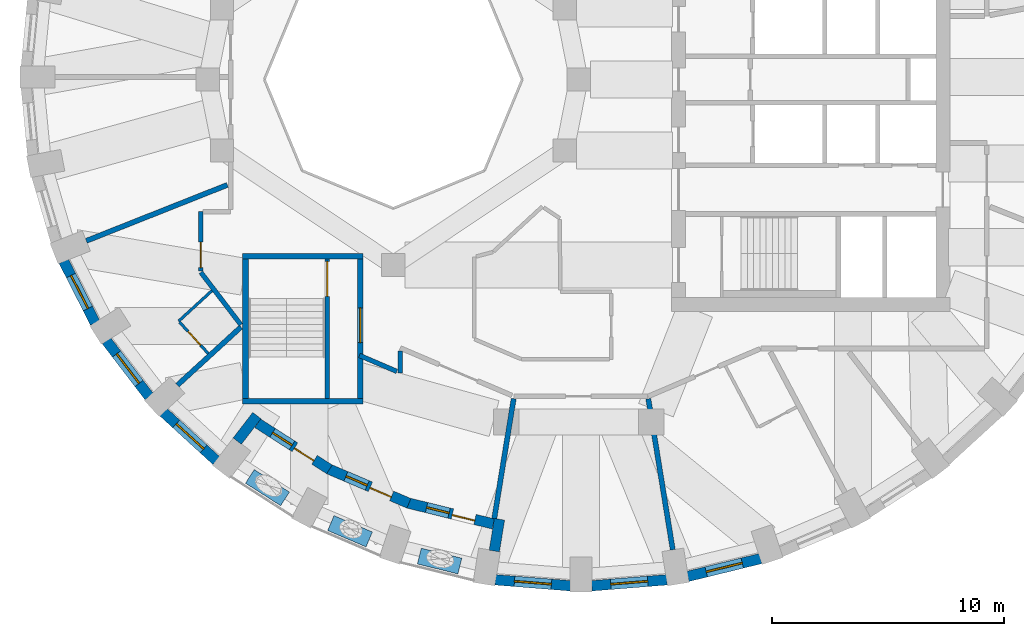
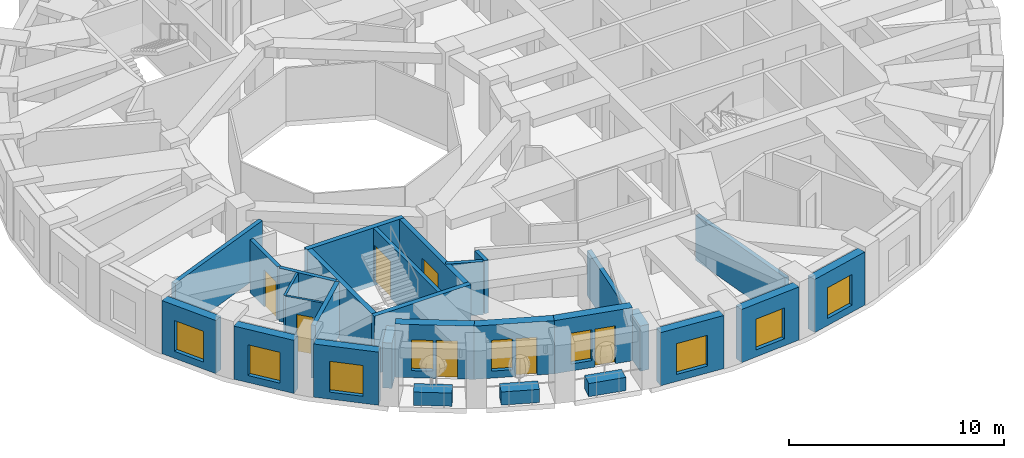
# One storey, part 3 of 12: 29 walls, 9 windows, 7 doors, 16 openings.
"""IFC4 building model written with IfcOpenShell, lengths in metres."""

from ifc_helpers import new_model, si_unit, direction, frame, frame_2d, origin, place, context, subcontext, project, spatial, rectangle, extrude, material, layer, layer_set, constituent, constituent_set, type_object, element, fill, save


model = new_model("IFC4")

# Units and contexts
model_context = context("Model", 3, precision=1e-05, world=origin(), true_north=direction((0.0, 1.0)))
body_context = subcontext(model_context, "Body", "Model", "MODEL_VIEW")
ifc_project = project(units=[si_unit("LENGTHUNIT", "METRE"), si_unit("AREAUNIT", "SQUARE_METRE"), si_unit("VOLUMEUNIT", "CUBIC_METRE"), si_unit("PLANEANGLEUNIT", "RADIAN"), si_unit("MASSUNIT", "GRAM", prefix="KILO")], contexts=[model_context])

# Site, building, storey
site_placement = place(None, origin())
site = spatial("IfcSite", under=ifc_project, at=site_placement, CompositionType="ELEMENT")
building_placement = place(site_placement, origin())
building = spatial("IfcBuilding", under=site, at=building_placement, Name="Taillehof Tower", CompositionType="ELEMENT")
storey_placement = place(building_placement, frame((0.0, 0.0, 164.89990234375)))
storey = spatial("IfcBuildingStorey", under=building, at=storey_placement, Name="L46", CompositionType="ELEMENT", Elevation=164.89990234375)

# Wall, opening, window
ifc_material_1 = material(Name="Brick masonry", Category="masonry")
ifc_layer_1 = layer(ifc_material_1, 0.449951171875)
ifc_layer_set_1 = layer_set([ifc_layer_1], Name="Brick infill wall 450")
wall_type_1 = type_object("IfcWallType", Name="Brick infill wall 450", PredefinedType="SOLIDWALL", material=ifc_layer_set_1)
wall_1_placement = place(storey_placement, frame((-22.21533203125, -7.8369140625, 0.0), z_axis=(0.0, 0.0, 1.0), x_axis=(0.454133999889, -0.890933392653, 0.0)))
wall_1 = element("IfcWall", 1, at=wall_1_placement, inside=storey, type_object=wall_type_1, Name="Brick wall L46 bay 21", PredefinedType="SOLIDWALL", context=body_context, shape_type="SweptSolid", body=[
    extrude(rectangle(XDim=2.98583984375, YDim=0.449951171875, at=frame_2d((1.492919921875, 0.0))), origin(), (0.0, 0.0, 1.0), 3.02001953125),
])
opening_1_placement = place(wall_1_placement, frame((0.69287109375, 0.0, 0.39990234375)))
opening_1 = element("IfcOpeningElement", 2, at=opening_1_placement, cuts=wall_1, Name="Opening W3", PredefinedType="OPENING", context=body_context, shape_type="SweptSolid", body=[
    extrude(rectangle(XDim=1.60009765625, YDim=1.75, at=frame_2d((0.800048828125, 0.875))), frame((0.0, 0.23486328125, 0.0), z_axis=(0.0, -1.0, 0.0), x_axis=(1.0, 0.0, 0.0)), (0.0, 0.0, 1.0), 0.469970703125),
])
ifc_material_2 = material(Name="Aluminium window frame with clear double glazing", Category="aluminium")
window_type_1 = type_object("IfcWindowType", Name="Deep-set window 1600x1750", PartitioningType="SINGLE_PANEL", PredefinedType="WINDOW", material=ifc_material_2)
window_1_placement = place(opening_1_placement, origin())
window_1 = element("IfcWindow", 3, at=window_1_placement, inside=storey, type_object=window_type_1, Name="W3", OverallHeight=1.75, OverallWidth=1.60009765625, PartitioningType="SINGLE_PANEL", PredefinedType="WINDOW", context=body_context, shape_type="SweptSolid", body=[
    extrude(rectangle(XDim=1.60009765625, YDim=1.75, at=frame_2d((0.800048828125, 0.875))), frame((0.0, 0.034912109375, 0.0), z_axis=(0.0, -1.0, 0.0), x_axis=(1.0, 0.0, 0.0)), (0.0, 0.0, 1.0), 0.06005859375),
])
fill(opening_1, window_1)

wall_2_placement = place(storey_placement, frame((-20.3740234375, -11.26708984375, 0.0), z_axis=(0.0, 0.0, 1.0), x_axis=(0.607817056371, -0.794077090706, 0.0)))
wall_2 = element("IfcWall", 4, at=wall_2_placement, inside=storey, type_object=wall_type_1, Name="Brick wall L46 bay 22", PredefinedType="SOLIDWALL", context=body_context, shape_type="SweptSolid", body=[
    extrude(rectangle(XDim=3.037109375, YDim=0.449951171875, at=frame_2d((1.5185546875, 0.0))), origin(), (0.0, 0.0, 1.0), 3.02001953125),
])
opening_2_placement = place(wall_2_placement, frame((0.718505859375, 0.0, 0.39990234375)))
opening_2 = element("IfcOpeningElement", 5, at=opening_2_placement, cuts=wall_2, Name="Opening W3", PredefinedType="OPENING", context=body_context, shape_type="SweptSolid", body=[
    extrude(rectangle(XDim=1.60009765625, YDim=1.75, at=frame_2d((0.800048828125, 0.875))), frame((0.0, 0.23486328125, 0.0), z_axis=(0.0, -1.0, 0.0), x_axis=(1.0, 0.0, 0.0)), (0.0, 0.0, 1.0), 0.469970703125),
])
window_2_placement = place(opening_2_placement, origin())
window_2 = element("IfcWindow", 6, at=window_2_placement, inside=storey, type_object=window_type_1, Name="W3", OverallHeight=1.75, OverallWidth=1.60009765625, PartitioningType="SINGLE_PANEL", PredefinedType="WINDOW", context=body_context, shape_type="SweptSolid", body=[
    extrude(rectangle(XDim=1.60009765625, YDim=1.75, at=frame_2d((0.800048828125, 0.875))), frame((0.0, 0.034912109375, 0.0), z_axis=(0.0, -1.0, 0.0), x_axis=(1.0, 0.0, 0.0)), (0.0, 0.0, 1.0), 0.06005859375),
])
fill(opening_2, window_2)

wall_3_placement = place(storey_placement, frame((-17.913330078125, -14.349853515625, 0.0), z_axis=(0.0, 0.0, 1.0), x_axis=(0.737808755941, -0.675009807082, 0.0)))
wall_3 = element("IfcWall", 7, at=wall_3_placement, inside=storey, type_object=wall_type_1, Name="Brick wall L46 bay 23", PredefinedType="SOLIDWALL", context=body_context, shape_type="SweptSolid", body=[
    extrude(rectangle(XDim=3.094482421875, YDim=0.449951171875, at=frame_2d((1.54736328125, 0.0))), origin(), (0.0, 0.0, 1.0), 3.02001953125),
])
opening_3_placement = place(wall_3_placement, frame((0.747314453125, 0.0, 0.39990234375)))
opening_3 = element("IfcOpeningElement", 8, at=opening_3_placement, cuts=wall_3, Name="Opening W3", PredefinedType="OPENING", context=body_context, shape_type="SweptSolid", body=[
    extrude(rectangle(XDim=1.60009765625, YDim=1.75, at=frame_2d((0.800048828125, 0.875))), frame((0.0, 0.23486328125, 0.0), z_axis=(0.0, -1.0, 0.0), x_axis=(1.0, 0.0, 0.0)), (0.0, 0.0, 1.0), 0.469970703125),
])
window_3_placement = place(opening_3_placement, origin())
window_3 = element("IfcWindow", 9, at=window_3_placement, inside=storey, type_object=window_type_1, Name="W3", OverallHeight=1.75, OverallWidth=1.60009765625, PartitioningType="SINGLE_PANEL", PredefinedType="WINDOW", context=body_context, shape_type="SweptSolid", body=[
    extrude(rectangle(XDim=1.60009765625, YDim=1.75, at=frame_2d((0.800048828125, 0.875))), frame((0.0, 0.034912109375, 0.0), z_axis=(0.0, -1.0, 0.0), x_axis=(1.0, 0.0, 0.0)), (0.0, 0.0, 1.0), 0.06005859375),
])
fill(opening_3, window_3)

wall_4_placement = place(storey_placement, frame((-3.6005859375, -21.578125, 0.0), z_axis=(0.0, 0.0, 1.0), x_axis=(0.996812416891, -0.079780984773, 0.0)))
wall_4 = element("IfcWall", 10, at=wall_4_placement, inside=storey, type_object=wall_type_1, Name="Brick wall L46 bay 27", PredefinedType="SOLIDWALL", context=body_context, shape_type="SweptSolid", body=[
    extrude(rectangle(XDim=3.256103515625, YDim=0.449951171875, at=frame_2d((1.6279296875, 0.0))), origin(), (0.0, 0.0, 1.0), 3.02001953125),
])
opening_4_placement = place(wall_4_placement, frame((0.827880859375, 0.0, 0.39990234375)))
opening_4 = element("IfcOpeningElement", 11, at=opening_4_placement, cuts=wall_4, Name="Opening W3", PredefinedType="OPENING", context=body_context, shape_type="SweptSolid", body=[
    extrude(rectangle(XDim=1.60009765625, YDim=1.75, at=frame_2d((0.800048828125, 0.875))), frame((0.0, 0.23486328125, 0.0), z_axis=(0.0, -1.0, 0.0), x_axis=(1.0, 0.0, 0.0)), (0.0, 0.0, 1.0), 0.469970703125),
])
window_4_placement = place(opening_4_placement, origin())
window_4 = element("IfcWindow", 12, at=window_4_placement, inside=storey, type_object=window_type_1, Name="W3", OverallHeight=1.75, OverallWidth=1.60009765625, PartitioningType="SINGLE_PANEL", PredefinedType="WINDOW", context=body_context, shape_type="SweptSolid", body=[
    extrude(rectangle(XDim=1.60009765625, YDim=1.75, at=frame_2d((0.800048828125, 0.875))), frame((0.0, 0.034912109375, 0.0), z_axis=(0.0, -1.0, 0.0), x_axis=(1.0, 0.0, 0.0)), (0.0, 0.0, 1.0), 0.06005859375),
])
fill(opening_4, window_4)

wall_5_placement = place(storey_placement, frame((0.55517578125, -21.837890625, 0.0), z_axis=(0.0, 0.0, 1.0), x_axis=(0.996812416891, 0.079780984773, 0.0)))
wall_5 = element("IfcWall", 13, at=wall_5_placement, inside=storey, type_object=wall_type_1, Name="Brick wall L46 bay 28", PredefinedType="SOLIDWALL", context=body_context, shape_type="SweptSolid", body=[
    extrude(rectangle(XDim=3.256103515625, YDim=0.449951171875, at=frame_2d((1.6279296875, 0.0))), origin(), (0.0, 0.0, 1.0), 3.02001953125),
])
opening_5_placement = place(wall_5_placement, frame((0.827880859375, 0.0, 0.39990234375)))
opening_5 = element("IfcOpeningElement", 14, at=opening_5_placement, cuts=wall_5, Name="Opening W3", PredefinedType="OPENING", context=body_context, shape_type="SweptSolid", body=[
    extrude(rectangle(XDim=1.60009765625, YDim=1.75, at=frame_2d((0.800048828125, 0.875))), frame((0.0, 0.23486328125, 0.0), z_axis=(0.0, -1.0, 0.0), x_axis=(1.0, 0.0, 0.0)), (0.0, 0.0, 1.0), 0.469970703125),
])
window_5_placement = place(opening_5_placement, origin())
window_5 = element("IfcWindow", 15, at=window_5_placement, inside=storey, type_object=window_type_1, Name="W3", OverallHeight=1.75, OverallWidth=1.60009765625, PartitioningType="SINGLE_PANEL", PredefinedType="WINDOW", context=body_context, shape_type="SweptSolid", body=[
    extrude(rectangle(XDim=1.60009765625, YDim=1.75, at=frame_2d((0.800048828125, 0.875))), frame((0.0, 0.034912109375, 0.0), z_axis=(0.0, -1.0, 0.0), x_axis=(1.0, 0.0, 0.0)), (0.0, 0.0, 1.0), 0.06005859375),
])
fill(opening_5, window_5)

wall_6_placement = place(storey_placement, frame((4.69921875, -21.43310546875, 0.0), z_axis=(0.0, 0.0, 1.0), x_axis=(0.971237178372, 0.238114139328, 0.0)))
wall_6 = element("IfcWall", 16, at=wall_6_placement, inside=storey, type_object=wall_type_1, Name="Brick wall L46 bay 29", PredefinedType="SOLIDWALL", context=body_context, shape_type="SweptSolid", body=[
    extrude(rectangle(XDim=3.23681640625, YDim=0.449951171875, at=frame_2d((1.618408203125, 0.0))), origin(), (0.0, 0.0, 1.0), 3.02001953125),
])
opening_6_placement = place(wall_6_placement, frame((0.818359375, 0.0, 0.39990234375)))
opening_6 = element("IfcOpeningElement", 17, at=opening_6_placement, cuts=wall_6, Name="Opening W3", PredefinedType="OPENING", context=body_context, shape_type="SweptSolid", body=[
    extrude(rectangle(XDim=1.60009765625, YDim=1.75, at=frame_2d((0.800048828125, 0.875))), frame((0.0, 0.23486328125, 0.0), z_axis=(0.0, -1.0, 0.0), x_axis=(1.0, 0.0, 0.0)), (0.0, 0.0, 1.0), 0.469970703125),
])
window_6_placement = place(opening_6_placement, origin())
window_6 = element("IfcWindow", 18, at=window_6_placement, inside=storey, type_object=window_type_1, Name="W3", OverallHeight=1.75, OverallWidth=1.60009765625, PartitioningType="SINGLE_PANEL", PredefinedType="WINDOW", context=body_context, shape_type="SweptSolid", body=[
    extrude(rectangle(XDim=1.60009765625, YDim=1.75, at=frame_2d((0.800048828125, 0.875))), frame((0.0, 0.034912109375, 0.0), z_axis=(0.0, -1.0, 0.0), x_axis=(1.0, 0.0, 0.0)), (0.0, 0.0, 1.0), 0.06005859375),
])
fill(opening_6, window_6)

# Walls
wall_7_placement = place(storey_placement, frame((-14.7314453125, -15.5966796875, 0.0), z_axis=(0.0, 0.0, 1.0), x_axis=(0.610007638158, 0.792395533423, 0.0)))
element("IfcWall", 19, at=wall_7_placement, inside=storey, type_object=wall_type_1, Name="Brick reveal L46 pocket 7", PredefinedType="SOLIDWALL", context=body_context, shape_type="SweptSolid", body=[
    extrude(rectangle(XDim=1.390869140625, YDim=0.449951171875, at=frame_2d((0.6953125, 0.0))), origin(), (0.0, 0.0, 1.0), 2.570068359375),
])
wall_8_placement = place(storey_placement, frame((-3.643798828125, -20.337646484375, 0.0), z_axis=(0.0, 0.0, 1.0), x_axis=(0.159668705775, 0.987170656166, 0.0)))
element("IfcWall", 20, at=wall_8_placement, inside=storey, type_object=wall_type_1, Name="Brick reveal L46 pocket 7", PredefinedType="SOLIDWALL", context=body_context, shape_type="SweptSolid", body=[
    extrude(rectangle(XDim=1.389892578125, YDim=0.449951171875, at=frame_2d((0.69482421875, 0.0))), origin(), (0.0, 0.0, 1.0), 2.570068359375),
])

# Wall, openings, door, window
wall_9_placement = place(storey_placement, frame((-13.853759765625, -14.825439453125, 0.0), z_axis=(0.0, 0.0, 1.0), x_axis=(0.841423945692, -0.540375557937, 0.0)))
wall_9 = element("IfcWall", 21, at=wall_9_placement, inside=storey, type_object=wall_type_1, Name="Brick wall L46 pocket bay 24", PredefinedType="SOLIDWALL", context=body_context, shape_type="SweptSolid", body=[
    extrude(rectangle(XDim=3.6826171875, YDim=0.449951171875, at=frame_2d((1.84130859375, 0.0))), origin(), (0.0, 0.0, 1.0), 3.02001953125),
])
opening_7_placement = place(wall_9_placement, frame((0.766357421875, 0.0, 0.39990234375)))
opening_7 = element("IfcOpeningElement", 22, at=opening_7_placement, cuts=wall_9, Name="Opening W5", PredefinedType="OPENING", context=body_context, shape_type="SweptSolid", body=[
    extrude(rectangle(XDim=1.0, YDim=1.75, at=frame_2d((0.5, 0.875))), frame((0.0, 0.23486328125, 0.0), z_axis=(0.0, -1.0, 0.0), x_axis=(1.0, 0.0, 0.0)), (0.0, 0.0, 1.0), 0.469970703125),
])
opening_8_placement = place(wall_9_placement, frame((1.916259765625, 0.0, 0.0)))
opening_8 = element("IfcOpeningElement", 23, at=opening_8_placement, cuts=wall_9, Name="Opening D4694", PredefinedType="OPENING", context=body_context, shape_type="SweptSolid", body=[
    extrude(rectangle(XDim=1.0, YDim=2.14990234375, at=frame_2d((0.5, 1.074951171875))), frame((0.0, 0.23486328125, 0.0), z_axis=(0.0, -1.0, 0.0), x_axis=(1.0, 0.0, 0.0)), (0.0, 0.0, 1.0), 0.469970703125),
])
ifc_material_3 = material(Name="Aluminium door frame with clear double glazing", Category="aluminium")
door_type_1 = type_object("IfcDoorType", Name="Balcony door 1000x2150", OperationType="SINGLE_SWING_RIGHT", PredefinedType="DOOR", material=ifc_material_3)
door_1_placement = place(opening_8_placement, frame((1.0, 0.0, 0.0), z_axis=(0.0, 0.0, 1.0), x_axis=(-1.0, 0.0, 0.0)))
door_1 = element("IfcDoor", 24, at=door_1_placement, inside=storey, type_object=door_type_1, Name="Balcony door L46 bay 24", OperationType="SINGLE_SWING_RIGHT", OverallHeight=2.14990234375, OverallWidth=1.0, PredefinedType="DOOR", context=body_context, shape_type="SweptSolid", body=[
    extrude(rectangle(XDim=1.0, YDim=2.14990234375, at=frame_2d((0.5, 1.074951171875))), frame((0.0, 0.0751953125, 0.0), z_axis=(0.0, -1.0, 0.0), x_axis=(1.0, 0.0, 0.0)), (0.0, 0.0, 1.0), 0.050048828125),
])
fill(opening_8, door_1)
ifc_material_4 = material(Name="Aluminium window frame with clear double glazing", Category="aluminium")
window_type_2 = type_object("IfcWindowType", Name="Fixed window 1000x1750", PartitioningType="SINGLE_PANEL", PredefinedType="WINDOW", material=ifc_material_4)
window_7_placement = place(opening_7_placement, origin())
window_7 = element("IfcWindow", 25, at=window_7_placement, inside=storey, type_object=window_type_2, Name="W5", OverallHeight=1.75, OverallWidth=1.0, PartitioningType="SINGLE_PANEL", PredefinedType="WINDOW", context=body_context, shape_type="SweptSolid", body=[
    extrude(rectangle(XDim=1.0, YDim=1.75, at=frame_2d((0.5, 0.875))), frame((0.0, 0.034912109375, 0.0), z_axis=(0.0, -1.0, 0.0), x_axis=(1.0, 0.0, 0.0)), (0.0, 0.0, 1.0), 0.06005859375),
])
fill(opening_7, window_7)

wall_10_placement = place(storey_placement, frame((-10.788330078125, -16.798095703125, 0.0), z_axis=(0.0, 0.0, 1.0), x_axis=(0.919443425894, -0.393222311907, 0.0)))
wall_10 = element("IfcWall", 26, at=wall_10_placement, inside=storey, type_object=wall_type_1, Name="Brick wall L46 pocket bay 25", PredefinedType="SOLIDWALL", context=body_context, shape_type="SweptSolid", body=[
    extrude(rectangle(XDim=3.76318359375, YDim=0.449951171875, at=frame_2d((1.881591796875, 0.0))), origin(), (0.0, 0.0, 1.0), 3.02001953125),
])
opening_9_placement = place(wall_10_placement, frame((0.806640625, 0.0, 0.39990234375)))
opening_9 = element("IfcOpeningElement", 27, at=opening_9_placement, cuts=wall_10, Name="Opening W5", PredefinedType="OPENING", context=body_context, shape_type="SweptSolid", body=[
    extrude(rectangle(XDim=1.0, YDim=1.75, at=frame_2d((0.5, 0.875))), frame((0.0, 0.23486328125, 0.0), z_axis=(0.0, -1.0, 0.0), x_axis=(1.0, 0.0, 0.0)), (0.0, 0.0, 1.0), 0.469970703125),
])
opening_10_placement = place(wall_10_placement, frame((1.95654296875, 0.0, 0.0)))
opening_10 = element("IfcOpeningElement", 28, at=opening_10_placement, cuts=wall_10, Name="Opening D4695", PredefinedType="OPENING", context=body_context, shape_type="SweptSolid", body=[
    extrude(rectangle(XDim=1.0, YDim=2.14990234375, at=frame_2d((0.5, 1.074951171875))), frame((0.0, 0.23486328125, 0.0), z_axis=(0.0, -1.0, 0.0), x_axis=(1.0, 0.0, 0.0)), (0.0, 0.0, 1.0), 0.469970703125),
])
door_2_placement = place(opening_10_placement, frame((1.0, 0.0, 0.0), z_axis=(0.0, 0.0, 1.0), x_axis=(-1.0, 0.0, 0.0)))
door_2 = element("IfcDoor", 29, at=door_2_placement, inside=storey, type_object=door_type_1, Name="Balcony door L46 bay 25", OperationType="SINGLE_SWING_LEFT", OverallHeight=2.14990234375, OverallWidth=1.0, PredefinedType="DOOR", context=body_context, shape_type="SweptSolid", body=[
    extrude(rectangle(XDim=1.0, YDim=2.14990234375, at=frame_2d((0.5, 1.074951171875))), frame((0.0, 0.0751953125, 0.0), z_axis=(0.0, -1.0, 0.0), x_axis=(1.0, 0.0, 0.0)), (0.0, 0.0, 1.0), 0.050048828125),
])
fill(opening_10, door_2)
window_8_placement = place(opening_9_placement, origin())
window_8 = element("IfcWindow", 30, at=window_8_placement, inside=storey, type_object=window_type_2, Name="W5", OverallHeight=1.75, OverallWidth=1.0, PartitioningType="SINGLE_PANEL", PredefinedType="WINDOW", context=body_context, shape_type="SweptSolid", body=[
    extrude(rectangle(XDim=1.0, YDim=1.75, at=frame_2d((0.5, 0.875))), frame((0.0, 0.034912109375, 0.0), z_axis=(0.0, -1.0, 0.0), x_axis=(1.0, 0.0, 0.0)), (0.0, 0.0, 1.0), 0.06005859375),
])
fill(opening_9, window_8)

wall_11_placement = place(storey_placement, frame((-7.363037109375, -18.26611328125, 0.0), z_axis=(0.0, 0.0, 1.0), x_axis=(0.971093730314, -0.238698485425, 0.0)))
wall_11 = element("IfcWall", 31, at=wall_11_placement, inside=storey, type_object=wall_type_1, Name="Brick wall L46 pocket bay 26", PredefinedType="SOLIDWALL", context=body_context, shape_type="SweptSolid", body=[
    extrude(rectangle(XDim=3.78955078125, YDim=0.449951171875, at=frame_2d((1.894775390625, 0.0))), origin(), (0.0, 0.0, 1.0), 3.02001953125),
])
opening_11_placement = place(wall_11_placement, frame((0.81982421875, 0.0, 0.39990234375)))
opening_11 = element("IfcOpeningElement", 32, at=opening_11_placement, cuts=wall_11, Name="Opening W5", PredefinedType="OPENING", context=body_context, shape_type="SweptSolid", body=[
    extrude(rectangle(XDim=1.0, YDim=1.75, at=frame_2d((0.5, 0.875))), frame((0.0, 0.23486328125, 0.0), z_axis=(0.0, -1.0, 0.0), x_axis=(1.0, 0.0, 0.0)), (0.0, 0.0, 1.0), 0.469970703125),
])
opening_12_placement = place(wall_11_placement, frame((1.9697265625, 0.0, 0.0)))
opening_12 = element("IfcOpeningElement", 33, at=opening_12_placement, cuts=wall_11, Name="Opening D4696", PredefinedType="OPENING", context=body_context, shape_type="SweptSolid", body=[
    extrude(rectangle(XDim=1.0, YDim=2.14990234375, at=frame_2d((0.5, 1.074951171875))), frame((0.0, 0.23486328125, 0.0), z_axis=(0.0, -1.0, 0.0), x_axis=(1.0, 0.0, 0.0)), (0.0, 0.0, 1.0), 0.469970703125),
])
door_3_placement = place(opening_12_placement, frame((1.0, 0.0, 0.0), z_axis=(0.0, 0.0, 1.0), x_axis=(-1.0, 0.0, 0.0)))
door_3 = element("IfcDoor", 34, at=door_3_placement, inside=storey, type_object=door_type_1, Name="Balcony door L46 bay 26", OperationType="SINGLE_SWING_LEFT", OverallHeight=2.14990234375, OverallWidth=1.0, PredefinedType="DOOR", context=body_context, shape_type="SweptSolid", body=[
    extrude(rectangle(XDim=1.0, YDim=2.14990234375, at=frame_2d((0.5, 1.074951171875))), frame((0.0, 0.0751953125, 0.0), z_axis=(0.0, -1.0, 0.0), x_axis=(1.0, 0.0, 0.0)), (0.0, 0.0, 1.0), 0.050048828125),
])
fill(opening_12, door_3)
window_9_placement = place(opening_11_placement, origin())
window_9 = element("IfcWindow", 35, at=window_9_placement, inside=storey, type_object=window_type_2, Name="W5", OverallHeight=1.75, OverallWidth=1.0, PartitioningType="SINGLE_PANEL", PredefinedType="WINDOW", context=body_context, shape_type="SweptSolid", body=[
    extrude(rectangle(XDim=1.0, YDim=1.75, at=frame_2d((0.5, 0.875))), frame((0.0, 0.034912109375, 0.0), z_axis=(0.0, -1.0, 0.0), x_axis=(1.0, 0.0, 0.0)), (0.0, 0.0, 1.0), 0.06005859375),
])
fill(opening_11, window_9)

# Walls
ifc_material_5 = material(Name="Gypsum board on steel studs, two layers each side", Category="steel")
ifc_layer_2 = layer(ifc_material_5, 0.199951171875)
ifc_layer_set_2 = layer_set([ifc_layer_2], Name="Compartment wall corridor 200")
wall_type_2 = type_object("IfcWallType", Name="Compartment wall corridor 200", PredefinedType="PARTITIONING", material=ifc_layer_set_2)
wall_12_placement = place(storey_placement, frame((-7.699951171875, -11.72021484375, 0.0), z_axis=(0.0, 0.0, 1.0), x_axis=(0.0, -1.0, 0.0)))
element("IfcWall", 36, at=wall_12_placement, inside=storey, type_object=wall_type_2, Name="Compartment wall", PredefinedType="PARTITIONING", context=body_context, shape_type="SweptSolid", body=[
    extrude(rectangle(XDim=0.933349609375, YDim=0.199951171875, at=frame_2d((0.466796875, 0.0))), origin(), (0.0, 0.0, 1.0), 3.02001953125),
])
wall_13_placement = place(storey_placement, frame((-7.846435546875, -12.591064453125, 0.0), z_axis=(0.0, 0.0, 1.0), x_axis=(-0.919360683084, 0.393415727189, 0.0)))
element("IfcWall", 37, at=wall_13_placement, inside=storey, type_object=wall_type_2, Name="Compartment wall", PredefinedType="PARTITIONING", context=body_context, shape_type="SweptSolid", body=[
    extrude(rectangle(XDim=1.755615234375, YDim=0.199951171875, at=frame_2d((0.8779296875, 0.0))), origin(), (0.0, 0.0, 1.0), 3.02001953125),
])
wall_14_placement = place(storey_placement, frame((-14.57373046875, -10.580078125, 0.0), z_axis=(0.0, 0.0, 1.0), x_axis=(-0.606733250298, 0.794905505694, 0.0)))
element("IfcWall", 38, at=wall_14_placement, inside=storey, type_object=wall_type_2, Name="Compartment wall", PredefinedType="PARTITIONING", context=body_context, shape_type="SweptSolid", body=[
    extrude(rectangle(XDim=2.84521484375, YDim=0.199951171875, at=frame_2d((1.422607421875, 0.0))), origin(), (0.0, 0.0, 1.0), 3.02001953125),
])

# Wall, opening, door
wall_15_placement = place(storey_placement, frame((-16.300048828125, -8.25830078125, 0.0), z_axis=(0.0, 0.0, 1.0), x_axis=(0.0, 1.0, 0.0)))
wall_15 = element("IfcWall", 39, at=wall_15_placement, inside=storey, type_object=wall_type_2, Name="Compartment wall", PredefinedType="PARTITIONING", context=body_context, shape_type="SweptSolid", body=[
    extrude(rectangle(XDim=2.558349609375, YDim=0.199951171875, at=frame_2d((1.279296875, 0.0))), origin(), (0.0, 0.0, 1.0), 3.02001953125),
])
opening_13_placement = place(wall_15_placement, frame((0.139892578125, 0.0, 0.0)))
opening_13 = element("IfcOpeningElement", 40, at=opening_13_placement, cuts=wall_15, Name="Opening D4650", PredefinedType="OPENING", context=body_context, shape_type="SweptSolid", body=[
    extrude(rectangle(XDim=1.10009765625, YDim=2.10009765625, at=frame_2d((0.550048828125, 1.050048828125))), frame((0.0, 0.10986328125, 0.0), z_axis=(0.0, -1.0, 0.0), x_axis=(1.0, 0.0, 0.0)), (0.0, 0.0, 1.0), 0.219970703125),
])
ifc_material_6 = material(Name="Timber door leaf in steel frame", Category="steel")
door_type_2 = type_object("IfcDoorType", Name="Suite entrance door EI 30 1100 x 2100", OperationType="SINGLE_SWING_LEFT", PredefinedType="DOOR", material=ifc_material_6)
door_4_placement = place(opening_13_placement, origin())
door_4 = element("IfcDoor", 41, at=door_4_placement, inside=storey, type_object=door_type_2, Name="D4650", OperationType="SINGLE_SWING_LEFT", OverallHeight=2.10009765625, OverallWidth=1.10009765625, PredefinedType="DOOR", context=body_context, shape_type="SweptSolid", body=[
    extrude(rectangle(XDim=1.10009765625, YDim=2.10009765625, at=frame_2d((0.550048828125, 1.050048828125))), frame((0.0, 0.02490234375, 0.0), z_axis=(0.0, -1.0, 0.0), x_axis=(1.0, 0.0, 0.0)), (0.0, 0.0, 1.0), 0.050048828125),
])
fill(opening_13, door_4)

# Walls
ifc_material_7 = material(Name="Gypsum board on double steel studs with mineral wool", Category="steel")
ifc_layer_3 = layer(ifc_material_7, 0.219970703125)
ifc_layer_set_3 = layer_set([ifc_layer_3], Name="Compartment wall guest room 220")
wall_type_3 = type_object("IfcWallType", Name="Compartment wall guest room 220", PredefinedType="PARTITIONING", material=ifc_layer_set_3)
wall_16_placement = place(storey_placement, frame((-21.23876953125, -6.959716796875, 0.0), z_axis=(0.0, 0.0, 1.0), x_axis=(0.929520145478, 0.368771337215, 0.0)))
element("IfcWall", 42, at=wall_16_placement, inside=storey, type_object=wall_type_3, Name="Compartment wall", PredefinedType="PARTITIONING", context=body_context, shape_type="SweptSolid", body=[
    extrude(rectangle(XDim=6.544189453125, YDim=0.219970703125, at=frame_2d((3.27197265625, 0.0))), origin(), (0.0, 0.0, 1.0), 3.02001953125),
])
wall_17_placement = place(storey_placement, frame((-17.310302734375, -13.181640625, 0.0), z_axis=(0.0, 0.0, 1.0), x_axis=(0.737860436015, 0.674953314655, 0.0)))
element("IfcWall", 43, at=wall_17_placement, inside=storey, type_object=wall_type_3, Name="Compartment wall", PredefinedType="PARTITIONING", context=body_context, shape_type="SweptSolid", body=[
    extrude(rectangle(XDim=3.714111328125, YDim=0.219970703125, at=frame_2d((1.85693359375, 0.0))), origin(), (0.0, 0.0, 1.0), 3.02001953125),
])
wall_18_placement = place(storey_placement, frame((-3.64697265625, -18.94775390625, 0.0), z_axis=(0.0, 0.0, 1.0), x_axis=(0.15969751034, 0.987165996776, 0.0)))
element("IfcWall", 44, at=wall_18_placement, inside=storey, type_object=wall_type_3, Name="Compartment wall", PredefinedType="PARTITIONING", context=body_context, shape_type="SweptSolid", body=[
    extrude(rectangle(XDim=5.248291015625, YDim=0.219970703125, at=frame_2d((2.6240234375, 0.0))), origin(), (0.0, 0.0, 1.0), 2.570068359375),
])
wall_19_placement = place(storey_placement, frame((4.05224609375, -20.28369140625, 0.0), z_axis=(0.0, 0.0, 1.0), x_axis=(-0.159678232595, 0.987169115215, 0.0)))
element("IfcWall", 45, at=wall_19_placement, inside=storey, type_object=wall_type_3, Name="Compartment wall", PredefinedType="PARTITIONING", context=body_context, shape_type="SweptSolid", body=[
    extrude(rectangle(XDim=6.594482421875, YDim=0.219970703125, at=frame_2d((3.29736328125, 0.0))), origin(), (0.0, 0.0, 1.0), 2.570068359375),
])
ifc_material_8 = material(Name="Gypsum board on steel studs, moisture resistant", Category="steel")
ifc_layer_4 = layer(ifc_material_8, 0.1201171875)
ifc_layer_set_4 = layer_set([ifc_layer_4], Name="En-suite wall 120")
wall_type_4 = type_object("IfcWallType", Name="En-suite wall 120", PredefinedType="PARTITIONING", material=ifc_layer_set_4)
wall_20_placement = place(storey_placement, frame((-15.82177734375, -9.109619140625, 0.0), z_axis=(0.0, 0.0, 1.0), x_axis=(-0.737882479632, -0.674929215734, 0.0)))
element("IfcWall", 46, at=wall_20_placement, inside=storey, type_object=wall_type_4, Name="En-suite wall", PredefinedType="PARTITIONING", context=body_context, shape_type="SweptSolid", body=[
    extrude(rectangle(XDim=1.94677734375, YDim=0.1201171875, at=frame_2d((0.973388671875, 0.0))), origin(), (0.0, 0.0, 1.0), 3.02001953125),
])

# Wall, opening, door
wall_21_placement = place(storey_placement, frame((-17.2177734375, -10.4677734375, 0.0), z_axis=(0.0, 0.0, 1.0), x_axis=(0.674920747044, -0.737890225717, 0.0)))
wall_21 = element("IfcWall", 47, at=wall_21_placement, inside=storey, type_object=wall_type_4, Name="En-suite wall", PredefinedType="PARTITIONING", context=body_context, shape_type="SweptSolid", body=[
    extrude(rectangle(XDim=1.830078125, YDim=0.1201171875, at=frame_2d((0.9150390625, 0.0))), origin(), (0.0, 0.0, 1.0), 3.02001953125),
])
opening_14_placement = place(wall_21_placement, frame((0.5400390625, 0.0, 0.0)))
opening_14 = element("IfcOpeningElement", 48, at=opening_14_placement, cuts=wall_21, Name="Opening D4651", PredefinedType="OPENING", context=body_context, shape_type="SweptSolid", body=[
    extrude(rectangle(XDim=0.800048828125, YDim=2.10009765625, at=frame_2d((0.39990234375, 1.050048828125))), frame((0.0, 0.070068359375, 0.0), z_axis=(0.0, -1.0, 0.0), x_axis=(1.0, 0.0, 0.0)), (0.0, 0.0, 1.0), 0.14013671875),
])
ifc_material_9 = material(Name="Timber door leaf in steel frame", Category="steel")
door_type_3 = type_object("IfcDoorType", Name="En-suite door 800 x 2100", OperationType="SINGLE_SWING_LEFT", PredefinedType="DOOR", material=ifc_material_9)
door_5_placement = place(opening_14_placement, origin())
door_5 = element("IfcDoor", 49, at=door_5_placement, inside=storey, type_object=door_type_3, Name="D4651", OperationType="SINGLE_SWING_LEFT", OverallHeight=2.10009765625, OverallWidth=0.800048828125, PredefinedType="DOOR", context=body_context, shape_type="SweptSolid", body=[
    extrude(rectangle(XDim=0.800048828125, YDim=2.10009765625, at=frame_2d((0.39990234375, 1.050048828125))), frame((0.0, 0.02490234375, 0.0), z_axis=(0.0, -1.0, 0.0), x_axis=(1.0, 0.0, 0.0)), (0.0, 0.0, 1.0), 0.050048828125),
])
fill(opening_14, door_5)

# Walls
ifc_material_10 = material(Name="Concrete C30/37 precast", Category="concrete")
ifc_constituent_1 = constituent(ifc_material_10, Name="Structure", Category="concrete")
ifc_material_11 = material(Name="Insulated lining")
ifc_constituent_2 = constituent(ifc_material_11, Name="Lining")
ifc_constituent_set = constituent_set(constituents=[ifc_constituent_1, ifc_constituent_2], Name="Planter trough 700x750")
wall_type_5 = type_object("IfcWallType", Name="Planter trough 700x750", PredefinedType="USERDEFINED", material=ifc_constituent_set)
for number, where, z_axis, x_axis, name in (
    (50, (-14.18603515625, -17.11767578125, 0.0), (0.0, 0.0, 1.0), (0.842032375698, -0.539426990682, 0.0), "Planter L46 bay 24"),
    (51, (-10.694580078125, -19.13134765625, 0.0), (0.0, 0.0, 1.0), (0.919859091433, -0.392248966739, 0.0), "Planter L46 bay 25"),
    (52, (-6.87744140625, -20.556640625, 0.0), (0.0, 0.0, 1.0), (0.971257007956, -0.238033242419, 0.0), "Planter L46 bay 26"),
):
    element("IfcWall", number, at=place(storey_placement, frame(where, z_axis=z_axis, x_axis=x_axis)), inside=storey, type_object=wall_type_5, Name=name, ObjectType="PLANTER", PredefinedType="USERDEFINED", context=body_context, shape_type="SweptSolid", body=[
        extrude(rectangle(XDim=1.800048828125, YDim=0.699951171875, at=frame_2d((0.89990234375, 0.0))), origin(), (0.0, 0.0, 1.0), 0.75),
    ])

# Wall, opening, door
ifc_material_12 = material(Name="Concrete C50/60", Category="concrete")
ifc_layer_5 = layer(ifc_material_12, 0.199951171875)
ifc_layer_set_5 = layer_set([ifc_layer_5], Name="Shaft wall C50/60 200")
wall_type_6 = type_object("IfcWallType", Name="Shaft wall C50/60 200", PredefinedType="SHEAR", material=ifc_layer_set_5)
wall_22_placement = place(storey_placement, frame((-10.85009765625, -13.75, 0.0), z_axis=(0.0, 0.0, 1.0), x_axis=(0.0, 1.0, 0.0)))
wall_22 = element("IfcWall", 53, at=wall_22_placement, inside=storey, type_object=wall_type_6, Name="Shaft wall SW", PredefinedType="SHEAR", context=body_context, shape_type="SweptSolid", body=[
    extrude(rectangle(XDim=6.0, YDim=0.199951171875, at=frame_2d((3.0, 0.0))), origin(), (0.0, 0.0, 1.0), 3.02001953125),
])
opening_15_placement = place(wall_22_placement, frame((4.39990234375, 0.0, 0.0)))
opening_15 = element("IfcOpeningElement", 54, at=opening_15_placement, cuts=wall_22, Name="Opening D4613", PredefinedType="OPENING", context=body_context, shape_type="SweptSolid", body=[
    extrude(rectangle(XDim=1.5, YDim=2.10009765625, at=frame_2d((0.75, 1.050048828125))), frame((0.0, 0.10986328125, 0.0), z_axis=(0.0, -1.0, 0.0), x_axis=(1.0, 0.0, 0.0)), (0.0, 0.0, 1.0), 0.219970703125),
])
ifc_material_13 = material(Name="Steel-faced fire door", Category="steel")
door_type_4 = type_object("IfcDoorType", Name="Stair door 1500x2100", OperationType="DOUBLE_DOOR_SINGLE_SWING", PredefinedType="DOOR", material=ifc_material_13)
door_6_placement = place(opening_15_placement, origin())
door_6 = element("IfcDoor", 55, at=door_6_placement, inside=storey, type_object=door_type_4, Name="Stair lobby door S4", OperationType="DOUBLE_DOOR_SINGLE_SWING", OverallHeight=2.10009765625, OverallWidth=1.5, PredefinedType="DOOR", context=body_context, shape_type="SweptSolid", body=[
    extrude(rectangle(XDim=1.5, YDim=2.10009765625, at=frame_2d((0.75, 1.050048828125))), frame((0.0, 0.02490234375, 0.0), z_axis=(0.0, -1.0, 0.0), x_axis=(1.0, 0.0, 0.0)), (0.0, 0.0, 1.0), 0.050048828125),
])
fill(opening_15, door_6)

# Wall
ifc_material_14 = material(Name="Concrete C50/60", Category="concrete")
ifc_layer_6 = layer(ifc_material_14, 0.25)
ifc_layer_set_6 = layer_set([ifc_layer_6], Name="Stair wall C50/60 250")
wall_type_7 = type_object("IfcWallType", Name="Stair wall C50/60 250", PredefinedType="SHEAR", material=ifc_layer_set_6)
wall_23_placement = place(storey_placement, frame((-14.375, -13.75, -0.27978515625), z_axis=(0.0, 0.0, 1.0), x_axis=(0.0, 1.0, 0.0)))
element("IfcWall", 56, at=wall_23_placement, inside=storey, type_object=wall_type_7, Name="Stair wall SC", PredefinedType="SHEAR", context=body_context, shape_type="SweptSolid", body=[
    extrude(rectangle(XDim=6.0, YDim=0.25, at=frame_2d((3.0, 0.0))), origin(), (0.0, 0.0, 1.0), 3.2998046875),
])

# Wall, opening, door
wall_24_placement = place(storey_placement, frame((-9.425048828125, -13.75, -0.27978515625), z_axis=(0.0, 0.0, 1.0), x_axis=(0.0, 1.0, 0.0)))
wall_24 = element("IfcWall", 57, at=wall_24_placement, inside=storey, type_object=wall_type_7, Name="Stair wall SC", PredefinedType="SHEAR", context=body_context, shape_type="SweptSolid", body=[
    extrude(rectangle(XDim=6.0, YDim=0.25, at=frame_2d((3.0, 0.0))), origin(), (0.0, 0.0, 1.0), 3.2998046875),
])
opening_16_placement = place(wall_24_placement, frame((2.39990234375, 0.0, 0.280029296875)))
opening_16 = element("IfcOpeningElement", 58, at=opening_16_placement, cuts=wall_24, Name="Opening D4616", PredefinedType="OPENING", context=body_context, shape_type="SweptSolid", body=[
    extrude(rectangle(XDim=1.5, YDim=2.10009765625, at=frame_2d((0.75, 1.050048828125))), frame((0.0, 0.135009765625, 0.0), z_axis=(0.0, -1.0, 0.0), x_axis=(1.0, 0.0, 0.0)), (0.0, 0.0, 1.0), 0.27001953125),
])
door_7_placement = place(opening_16_placement, origin())
door_7 = element("IfcDoor", 59, at=door_7_placement, inside=storey, type_object=door_type_4, Name="Stair door S4", OperationType="DOUBLE_DOOR_SINGLE_SWING", OverallHeight=2.10009765625, OverallWidth=1.5, PredefinedType="DOOR", context=body_context, shape_type="SweptSolid", body=[
    extrude(rectangle(XDim=1.5, YDim=2.10009765625, at=frame_2d((0.75, 1.050048828125))), frame((0.0, 0.02490234375, 0.0), z_axis=(0.0, -1.0, 0.0), x_axis=(1.0, 0.0, 0.0)), (0.0, 0.0, 1.0), 0.050048828125),
])
fill(opening_16, door_7)

# Walls
for number, where, z_axis, x_axis, name in (
    (60, (-14.5, -7.625, -0.27978515625), (0.0, 0.0, 1.0), (1.0, 0.0, 0.0), "Stair wall SC"),
    (61, (-14.5, -13.875, -0.27978515625), (0.0, 0.0, 1.0), (1.0, 0.0, 0.0), "Stair wall SC"),
):
    element("IfcWall", number, at=place(storey_placement, frame(where, z_axis=z_axis, x_axis=x_axis)), inside=storey, type_object=wall_type_7, Name=name, PredefinedType="SHEAR", context=body_context, shape_type="SweptSolid", body=[
        extrude(rectangle(XDim=5.199951171875, YDim=0.25, at=frame_2d((2.60009765625, 0.0))), origin(), (0.0, 0.0, 1.0), 3.2998046875),
    ])

save(model, "model.ifc")
